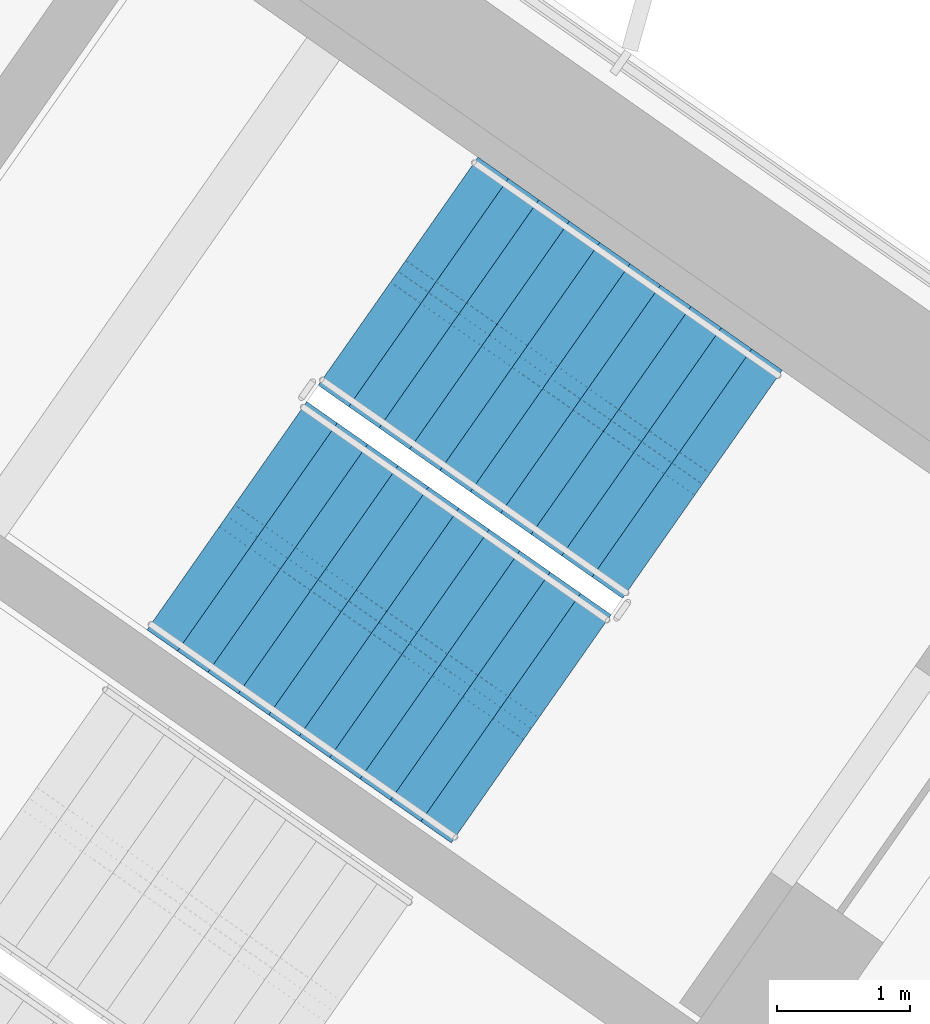
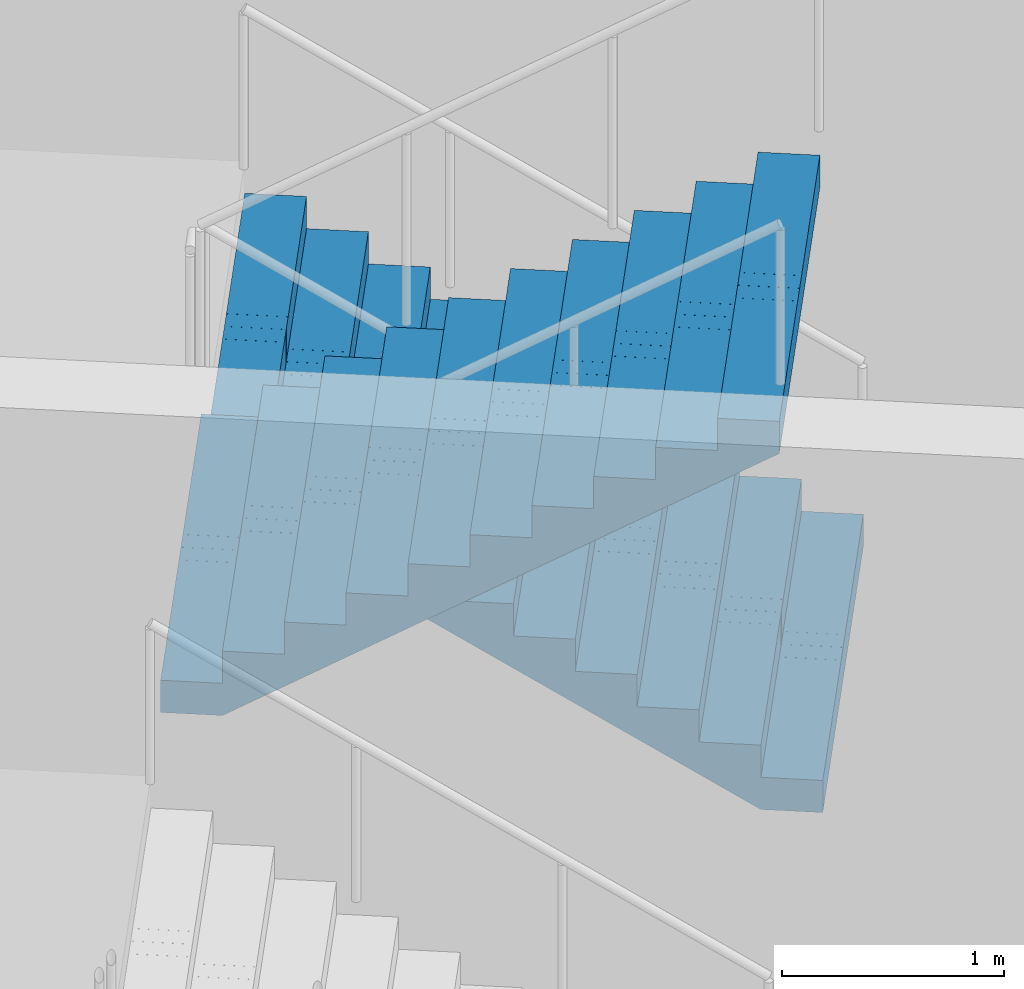
# One storey, part 16 of 22: 2 stair flights, 1 element without a shape of its own.
"""IFC4 building model written with IfcOpenShell, lengths in metres."""

from ifc_helpers import new_model, si_unit, direction, frame, origin, place, context, subcontext, project, spatial, polyline, outline, extrude, material, type_object, element, aggregate, save


model = new_model("IFC4")

# Units and contexts
model_context = context("Model", 3, precision=1e-05, world=origin(), true_north=direction((0.0, 1.0)))
body_context = subcontext(model_context, "Body", "Model", "MODEL_VIEW")
ifc_project = project(units=[si_unit("LENGTHUNIT", "METRE"), si_unit("AREAUNIT", "SQUARE_METRE"), si_unit("VOLUMEUNIT", "CUBIC_METRE"), si_unit("PLANEANGLEUNIT", "RADIAN"), si_unit("MASSUNIT", "GRAM", prefix="KILO")], contexts=[model_context])

# Site, building, storey
site_placement = place(None, origin())
site = spatial("IfcSite", under=ifc_project, at=site_placement, CompositionType="ELEMENT")
building_placement = place(site_placement, origin())
building = spatial("IfcBuilding", under=site, at=building_placement, Name="Tel Ilan Convention Tower", CompositionType="ELEMENT")
storey_placement = place(building_placement, frame((0.0, 0.0, 202.199951171875)))
storey = spatial("IfcBuildingStorey", under=building, at=storey_placement, Name="L47", CompositionType="ELEMENT", Elevation=202.199951171875)

# Stair, stair flights
ifc_material_1 = material(Name="Concrete C40/50", Category="concrete")
stair_type = type_object("IfcStairType", Name="Pressurised Exit Stair 22 risers 177 mm", PredefinedType="HALF_TURN_STAIR", material=ifc_material_1)
stair_placement = place(storey_placement, origin())
stair = element("IfcStair", 1, at=stair_placement, inside=storey, type_object=stair_type, Name="L47 Pressurised Stair S3", PredefinedType="HALF_TURN_STAIR")
ifc_material_2 = material(Name="Precast Concrete C40/50", Category="concrete")
stair_flight_type = type_object("IfcStairFlightType", Name="Concrete Stair Flight 2100 mm 22 risers 177 mm", PredefinedType="STRAIGHT", material=ifc_material_2)
stair_flight_1_placement = place(storey_placement, frame((24.25244140625, -7.032470703125, 0.0), z_axis=(0.0, 0.0, 1.0), x_axis=(-0.819152044289, 0.573576436351, 0.0)))
stair_flight_1 = element("IfcStairFlight", 2, at=stair_flight_1_placement, type_object=stair_flight_type, Name="S3 flight 1", NumberOfRisers=11, NumberOfTreads=10, PredefinedType="STRAIGHT", RiserHeight=0.177272727, TreadLength=0.28, context=body_context, shape_type="SweptSolid", body=[
    extrude(outline(polyline([(0.0, 0.0), (0.0, 0.17724609375), (0.280029296875, 0.17724609375), (0.280029296875, 0.3544921875), (0.56005859375, 0.3544921875), (0.56005859375, 0.53173828125), (0.840087890625, 0.53173828125), (0.840087890625, 0.708984375), (1.1201171875, 0.708984375), (1.1201171875, 0.886474609375), (1.39990234375, 0.886474609375), (1.39990234375, 1.063720703125), (1.679931640625, 1.063720703125), (1.679931640625, 1.240966796875), (1.9599609375, 1.240966796875), (1.9599609375, 1.418212890625), (2.239990234375, 1.418212890625), (2.239990234375, 1.595458984375), (2.52001953125, 1.595458984375), (2.52001953125, 1.772705078125), (2.800048828125, 1.772705078125), (2.800048828125, 1.949951171875), (2.800048828125, 1.59521484375), (0.2802734375, 0.0), (0.0, 0.0)])), frame((0.0, -0.100341796875, 0.0), z_axis=(0.0, -1.0, 0.0), x_axis=(1.0, 0.0, 0.0)), (0.0, 0.0, 1.0), 0.94970703125),
    extrude(outline(polyline([(0.0, 0.0), (0.0, 0.17724609375), (0.280029296875, 0.17724609375), (0.280029296875, 0.3544921875), (0.56005859375, 0.3544921875), (0.56005859375, 0.53173828125), (0.840087890625, 0.53173828125), (0.840087890625, 0.708984375), (1.1201171875, 0.708984375), (1.1201171875, 0.886474609375), (1.39990234375, 0.886474609375), (1.39990234375, 1.063720703125), (1.679931640625, 1.063720703125), (1.679931640625, 1.240966796875), (1.9599609375, 1.240966796875), (1.9599609375, 1.418212890625), (2.239990234375, 1.418212890625), (2.239990234375, 1.595458984375), (2.52001953125, 1.595458984375), (2.52001953125, 1.772705078125), (2.800048828125, 1.772705078125), (2.800048828125, 1.949951171875), (2.800048828125, 1.59521484375), (0.2802734375, 0.0), (0.0, 0.0)])), frame((0.0, -0.000244140625, 0.0), z_axis=(0.0, -1.0, 0.0), x_axis=(1.0, 0.0, 0.0)), (0.0, 0.0, 1.0), 0.099609375),
    extrude(outline(polyline([(0.0, 0.0), (0.0, 0.17724609375), (0.280029296875, 0.17724609375), (0.280029296875, 0.3544921875), (0.56005859375, 0.3544921875), (0.56005859375, 0.53173828125), (0.840087890625, 0.53173828125), (0.840087890625, 0.708984375), (1.1201171875, 0.708984375), (1.1201171875, 0.886474609375), (1.39990234375, 0.886474609375), (1.39990234375, 1.063720703125), (1.679931640625, 1.063720703125), (1.679931640625, 1.240966796875), (1.9599609375, 1.240966796875), (1.9599609375, 1.418212890625), (2.239990234375, 1.418212890625), (2.239990234375, 1.595458984375), (2.52001953125, 1.595458984375), (2.52001953125, 1.772705078125), (2.800048828125, 1.772705078125), (2.800048828125, 1.949951171875), (2.800048828125, 1.59521484375), (0.2802734375, 0.0), (0.0, 0.0)])), frame((0.0, 0.099853515625, 0.0), z_axis=(0.0, -1.0, 0.0), x_axis=(1.0, 0.0, 0.0)), (0.0, 0.0, 1.0), 0.099609375),
    extrude(outline(polyline([(0.0, 0.0), (0.0, 0.17724609375), (0.280029296875, 0.17724609375), (0.280029296875, 0.3544921875), (0.56005859375, 0.3544921875), (0.56005859375, 0.53173828125), (0.840087890625, 0.53173828125), (0.840087890625, 0.708984375), (1.1201171875, 0.708984375), (1.1201171875, 0.886474609375), (1.39990234375, 0.886474609375), (1.39990234375, 1.063720703125), (1.679931640625, 1.063720703125), (1.679931640625, 1.240966796875), (1.9599609375, 1.240966796875), (1.9599609375, 1.418212890625), (2.239990234375, 1.418212890625), (2.239990234375, 1.595458984375), (2.52001953125, 1.595458984375), (2.52001953125, 1.772705078125), (2.800048828125, 1.772705078125), (2.800048828125, 1.949951171875), (2.800048828125, 1.59521484375), (0.2802734375, 0.0), (0.0, 0.0)])), frame((0.0, 1.050048828125, 0.0), z_axis=(0.0, -1.0, 0.0), x_axis=(1.0, 0.0, 0.0)), (0.0, 0.0, 1.0), 0.94970703125),
])
stair_flight_2_placement = place(storey_placement, frame((20.668212890625, -7.26953125, 1.949951171875), z_axis=(0.0, 0.0, 1.0), x_axis=(0.819152044289, -0.573576436351, 0.0)))
stair_flight_2 = element("IfcStairFlight", 3, at=stair_flight_2_placement, type_object=stair_flight_type, Name="S3 flight 2", NumberOfRisers=11, NumberOfTreads=10, PredefinedType="STRAIGHT", RiserHeight=0.177272727, TreadLength=0.28, context=body_context, shape_type="SweptSolid", body=[
    extrude(outline(polyline([(0.0, 0.0), (0.0, 0.17724609375), (0.280029296875, 0.17724609375), (0.280029296875, 0.3544921875), (0.56005859375, 0.3544921875), (0.56005859375, 0.53173828125), (0.840087890625, 0.53173828125), (0.840087890625, 0.708984375), (1.1201171875, 0.708984375), (1.1201171875, 0.886474609375), (1.39990234375, 0.886474609375), (1.39990234375, 1.063720703125), (1.679931640625, 1.063720703125), (1.679931640625, 1.240966796875), (1.9599609375, 1.240966796875), (1.9599609375, 1.418212890625), (2.239990234375, 1.418212890625), (2.239990234375, 1.595458984375), (2.52001953125, 1.595458984375), (2.52001953125, 1.772705078125), (2.800048828125, 1.772705078125), (2.800048828125, 1.949951171875), (2.800048828125, 1.59521484375), (0.2802734375, 0.0), (0.0, 0.0)])), frame((0.0, -0.100341796875, 0.0), z_axis=(0.0, -1.0, 0.0), x_axis=(1.0, 0.0, 0.0)), (0.0, 0.0, 1.0), 0.94970703125),
    extrude(outline(polyline([(0.0, 0.0), (0.0, 0.17724609375), (0.280029296875, 0.17724609375), (0.280029296875, 0.3544921875), (0.56005859375, 0.3544921875), (0.56005859375, 0.53173828125), (0.840087890625, 0.53173828125), (0.840087890625, 0.708984375), (1.1201171875, 0.708984375), (1.1201171875, 0.886474609375), (1.39990234375, 0.886474609375), (1.39990234375, 1.063720703125), (1.679931640625, 1.063720703125), (1.679931640625, 1.240966796875), (1.9599609375, 1.240966796875), (1.9599609375, 1.418212890625), (2.239990234375, 1.418212890625), (2.239990234375, 1.595458984375), (2.52001953125, 1.595458984375), (2.52001953125, 1.772705078125), (2.800048828125, 1.772705078125), (2.800048828125, 1.949951171875), (2.800048828125, 1.59521484375), (0.2802734375, 0.0), (0.0, 0.0)])), frame((0.0, -0.000244140625, 0.0), z_axis=(0.0, -1.0, 0.0), x_axis=(1.0, 0.0, 0.0)), (0.0, 0.0, 1.0), 0.099609375),
    extrude(outline(polyline([(0.0, 0.0), (0.0, 0.17724609375), (0.280029296875, 0.17724609375), (0.280029296875, 0.3544921875), (0.56005859375, 0.3544921875), (0.56005859375, 0.53173828125), (0.840087890625, 0.53173828125), (0.840087890625, 0.708984375), (1.1201171875, 0.708984375), (1.1201171875, 0.886474609375), (1.39990234375, 0.886474609375), (1.39990234375, 1.063720703125), (1.679931640625, 1.063720703125), (1.679931640625, 1.240966796875), (1.9599609375, 1.240966796875), (1.9599609375, 1.418212890625), (2.239990234375, 1.418212890625), (2.239990234375, 1.595458984375), (2.52001953125, 1.595458984375), (2.52001953125, 1.772705078125), (2.800048828125, 1.772705078125), (2.800048828125, 1.949951171875), (2.800048828125, 1.59521484375), (0.2802734375, 0.0), (0.0, 0.0)])), frame((0.0, 0.099853515625, 0.0), z_axis=(0.0, -1.0, 0.0), x_axis=(1.0, 0.0, 0.0)), (0.0, 0.0, 1.0), 0.099609375),
    extrude(outline(polyline([(0.0, 0.0), (0.0, 0.17724609375), (0.280029296875, 0.17724609375), (0.280029296875, 0.3544921875), (0.56005859375, 0.3544921875), (0.56005859375, 0.53173828125), (0.840087890625, 0.53173828125), (0.840087890625, 0.708984375), (1.1201171875, 0.708984375), (1.1201171875, 0.886474609375), (1.39990234375, 0.886474609375), (1.39990234375, 1.063720703125), (1.679931640625, 1.063720703125), (1.679931640625, 1.240966796875), (1.9599609375, 1.240966796875), (1.9599609375, 1.418212890625), (2.239990234375, 1.418212890625), (2.239990234375, 1.595458984375), (2.52001953125, 1.595458984375), (2.52001953125, 1.772705078125), (2.800048828125, 1.772705078125), (2.800048828125, 1.949951171875), (2.800048828125, 1.59521484375), (0.2802734375, 0.0), (0.0, 0.0)])), frame((0.0, 1.050048828125, 0.0), z_axis=(0.0, -1.0, 0.0), x_axis=(1.0, 0.0, 0.0)), (0.0, 0.0, 1.0), 0.94970703125),
])
aggregate(stair, [stair_flight_1, stair_flight_2])

save(model, "model.ifc")
